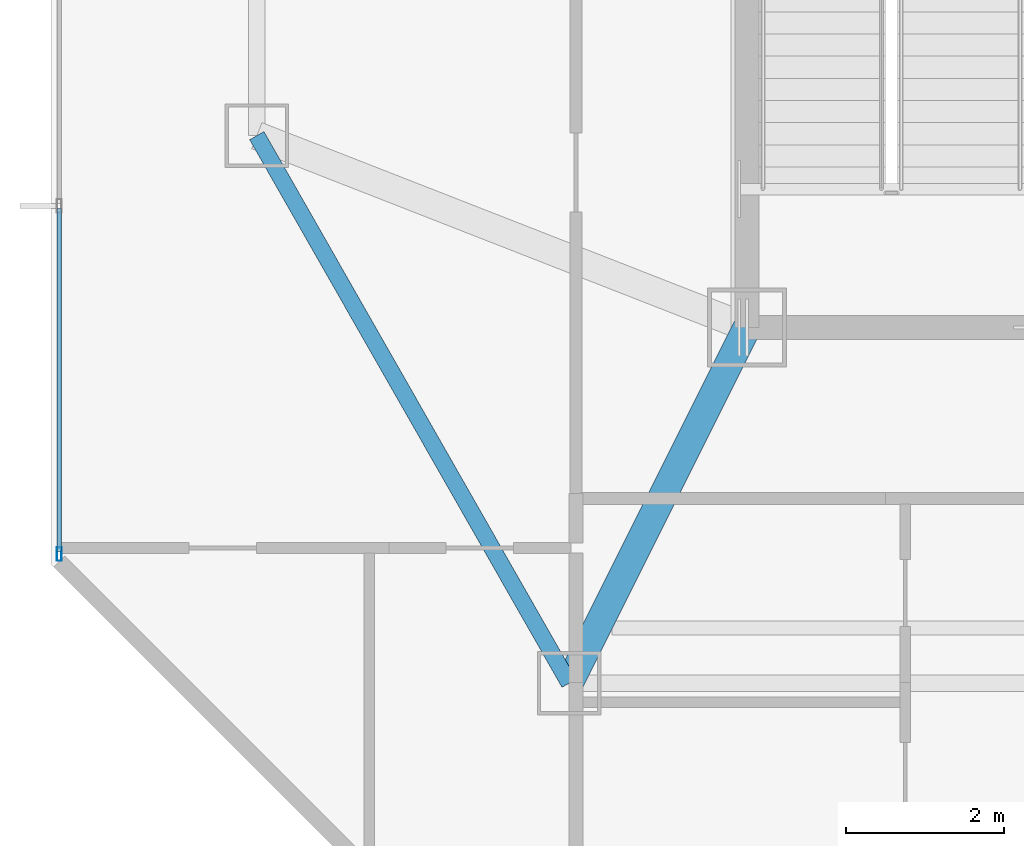
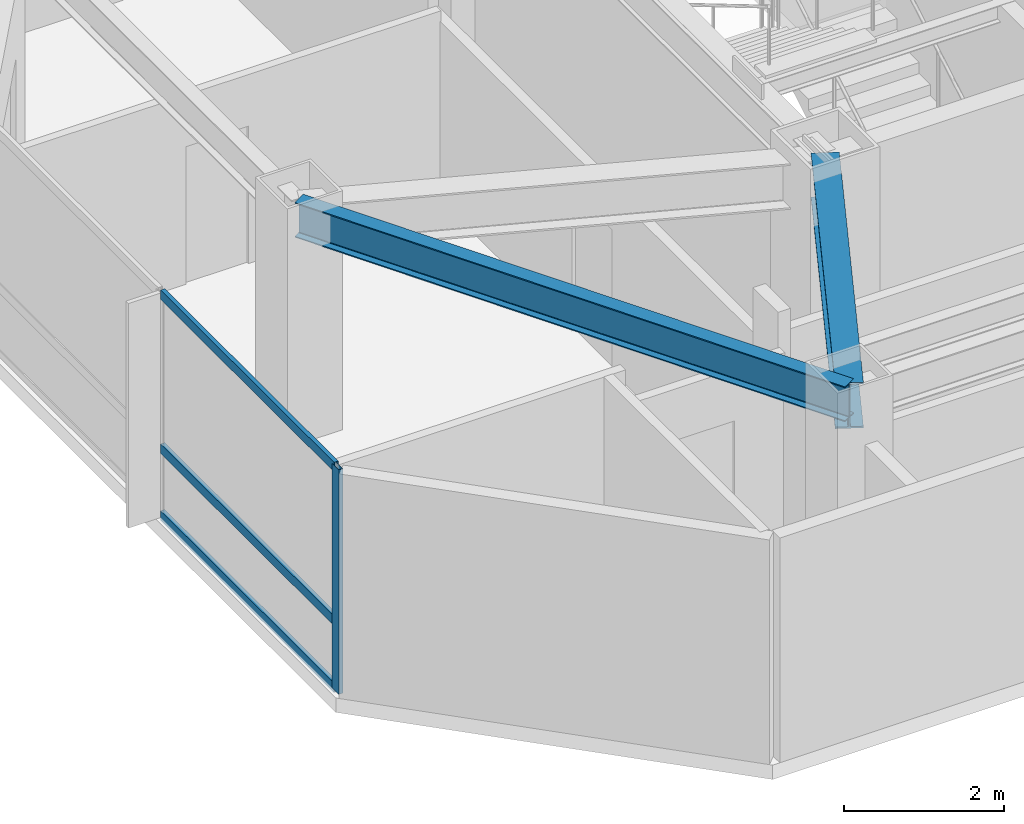
# One storey, part 2 of 14: 4 members, 2 beams, 1 element without a shape of its own.
"""IFC4 building model written with IfcOpenShell, lengths in metres."""

from ifc_helpers import new_model, si_unit, direction, frame, origin, origin_2d, place, context, subcontext, project, spatial, hollow_rectangle, i_section, extrude, material, material_profile, profile_set, type_object, element, aggregate, save


model = new_model("IFC4")

# Units and contexts
model_context = context("Model", 3, precision=1e-05, world=origin(), true_north=direction((0.0, 1.0)))
body_context = subcontext(model_context, "Body", "Model", "MODEL_VIEW")
ifc_project = project(units=[si_unit("LENGTHUNIT", "METRE"), si_unit("AREAUNIT", "SQUARE_METRE"), si_unit("VOLUMEUNIT", "CUBIC_METRE"), si_unit("PLANEANGLEUNIT", "RADIAN"), si_unit("MASSUNIT", "GRAM", prefix="KILO")], contexts=[model_context])

# Site, building, storey
site_placement = place(None, origin())
site = spatial("IfcSite", under=ifc_project, at=site_placement, CompositionType="ELEMENT")
building_placement = place(site_placement, origin())
building = spatial("IfcBuilding", under=site, at=building_placement, Name="Khamvora Tower", CompositionType="ELEMENT")
storey_placement = place(building_placement, frame((0.0, 0.0, 253.699951171875)))
storey = spatial("IfcBuildingStorey", under=building, at=storey_placement, Name="L65", CompositionType="ELEMENT", Elevation=253.699951171875)

# Beams
ifc_material_1 = material(Name="Steel S355", Category="steel")
ifc_material_profile_1 = material_profile(ifc_material_1, i_section(OverallWidth=0.35498046875, OverallDepth=0.695068359375, WebThickness=0.014892578125, FlangeThickness=0.02490234375, FilletRadius=0.01611328125, at=origin_2d()), Name="W690x217")
ifc_profile_set_1 = profile_set([ifc_material_profile_1], Name="Steel S355")
beam_type_1 = type_object("IfcBeamType", Name="BM-PG-W690x217", PredefinedType="BEAM", material=ifc_profile_set_1)
beam_1_placement = place(storey_placement, frame((29.0, 19.0, 3.08203125), z_axis=(-0.4472135955, -0.894427191, 0.0), x_axis=(0.894427191, -0.4472135955, 0.0)))
element("IfcBeam", 1, at=beam_1_placement, inside=storey, type_object=beam_type_1, Name="L65 primary floor girder S1", PredefinedType="BEAM", context=body_context, shape_type="SweptSolid", body=[
    extrude(i_section(OverallWidth=0.35498046875, OverallDepth=0.695068359375, WebThickness=0.014892578125, FlangeThickness=0.02490234375, FilletRadius=0.01611328125, at=origin_2d()), origin(), (0.0, 0.0, 1.0), 5.03125),
])
ifc_material_profile_2 = material_profile(ifc_material_1, i_section(OverallWidth=0.208984375, OverallDepth=0.532958984375, WebThickness=0.010009765625, FlangeThickness=0.01611328125, FilletRadius=0.013916015625, at=origin_2d()), Name="W530x92")
ifc_profile_set_2 = profile_set([ifc_material_profile_2], Name="Steel S355")
beam_type_2 = type_object("IfcBeamType", Name="BM-SP-W530x92", PredefinedType="SPANDREL", material=ifc_profile_set_2)
beam_2_placement = place(storey_placement, frame((22.800048828125, 21.425048828125, 3.1630859375), z_axis=(0.495456118564, -0.868632968853, 0.0), x_axis=(0.868632968853, 0.495456118564, 0.0)))
element("IfcBeam", 2, at=beam_2_placement, inside=storey, type_object=beam_type_2, Name="L65 perimeter spandrel beam W1-S1", PredefinedType="SPANDREL", context=body_context, shape_type="SweptSolid", body=[
    extrude(i_section(OverallWidth=0.208984375, OverallDepth=0.532958984375, WebThickness=0.010009765625, FlangeThickness=0.01611328125, FilletRadius=0.013916015625, at=origin_2d()), origin(), (0.0, 0.0, 1.0), 7.972412109375),
])

# Curtain wall, members
ifc_material_2 = material(Name="Anodised Aluminium 6063-T6", Category="aluminium")
curtain_wall_type = type_object("IfcCurtainWallType", Name="CW-SYS-05", PredefinedType="NOTDEFINED", material=ifc_material_2)
curtain_wall_placement = place(storey_placement, origin())
curtain_wall = element("IfcCurtainWall", 3, at=curtain_wall_placement, inside=storey, type_object=curtain_wall_type, Name="L65 stick curtain wall 02.1", PredefinedType="NOTDEFINED")
ifc_material_profile_3 = material_profile(ifc_material_2, hollow_rectangle(XDim=0.06005859375, YDim=0.175048828125, WallThickness=0.0048828125, at=origin_2d()), Name="MUL60x175x5")
ifc_profile_set_3 = profile_set([ifc_material_profile_3], Name="Anodised Aluminium 6063-T6")
member_type_1 = type_object("IfcMemberType", Name="CW-SYS-05-MUL", PredefinedType="MULLION", material=ifc_profile_set_3)
member_1_placement = place(storey_placement, frame((20.300048828125, 16.134033203125, 0.0), z_axis=(0.0, 0.0, 1.0), x_axis=(-1.0, 0.0, 0.0)))
member_1 = element("IfcMember", 4, at=member_1_placement, type_object=member_type_1, Name="CW-05 mullion 1", PredefinedType="MULLION", context=body_context, shape_type="SweptSolid", body=[
    extrude(hollow_rectangle(XDim=0.06005859375, YDim=0.175048828125, WallThickness=0.0048828125, at=origin_2d()), origin(), (0.0, 0.0, 1.0), 3.429931640625),
])
ifc_material_profile_4 = material_profile(ifc_material_2, hollow_rectangle(XDim=0.06005859375, YDim=0.14501953125, WallThickness=0.0048828125, at=origin_2d()), Name="TRN60x145x5")
ifc_profile_set_4 = profile_set([ifc_material_profile_4], Name="Anodised Aluminium 6063-T6")
member_type_2 = type_object("IfcMemberType", Name="CW-SYS-05-TRN", PredefinedType="USERDEFINED", material=ifc_profile_set_4)
member_2_placement = place(storey_placement, frame((20.300048828125, 16.1640625, 0.030029296875), z_axis=(0.0, 1.0, 0.0), x_axis=(-1.0, 0.0, 0.0)))
member_2 = element("IfcMember", 5, at=member_2_placement, type_object=member_type_2, Name="CW-05 transom 1.1", ObjectType="TRANSOM", PredefinedType="USERDEFINED", context=body_context, shape_type="SweptSolid", body=[
    extrude(hollow_rectangle(XDim=0.06005859375, YDim=0.14501953125, WallThickness=0.0048828125, at=origin_2d()), origin(), (0.0, 0.0, 1.0), 4.341552734375),
])
member_3_placement = place(storey_placement, frame((20.300048828125, 16.1640625, 1.050048828125), z_axis=(0.0, 1.0, 0.0), x_axis=(-1.0, 0.0, 0.0)))
member_3 = element("IfcMember", 6, at=member_3_placement, type_object=member_type_2, Name="CW-05 transom 1.2", ObjectType="TRANSOM", PredefinedType="USERDEFINED", context=body_context, shape_type="SweptSolid", body=[
    extrude(hollow_rectangle(XDim=0.06005859375, YDim=0.14501953125, WallThickness=0.0048828125, at=origin_2d()), origin(), (0.0, 0.0, 1.0), 4.341552734375),
])
member_4_placement = place(storey_placement, frame((20.300048828125, 16.1640625, 3.400146484375), z_axis=(0.0, 1.0, 0.0), x_axis=(-1.0, 0.0, 0.0)))
member_4 = element("IfcMember", 7, at=member_4_placement, type_object=member_type_2, Name="CW-05 transom 1.3", ObjectType="TRANSOM", PredefinedType="USERDEFINED", context=body_context, shape_type="SweptSolid", body=[
    extrude(hollow_rectangle(XDim=0.06005859375, YDim=0.14501953125, WallThickness=0.0048828125, at=origin_2d()), origin(), (0.0, 0.0, 1.0), 4.341552734375),
])
aggregate(curtain_wall, [member_1, member_2, member_3, member_4])

save(model, "model.ifc")
